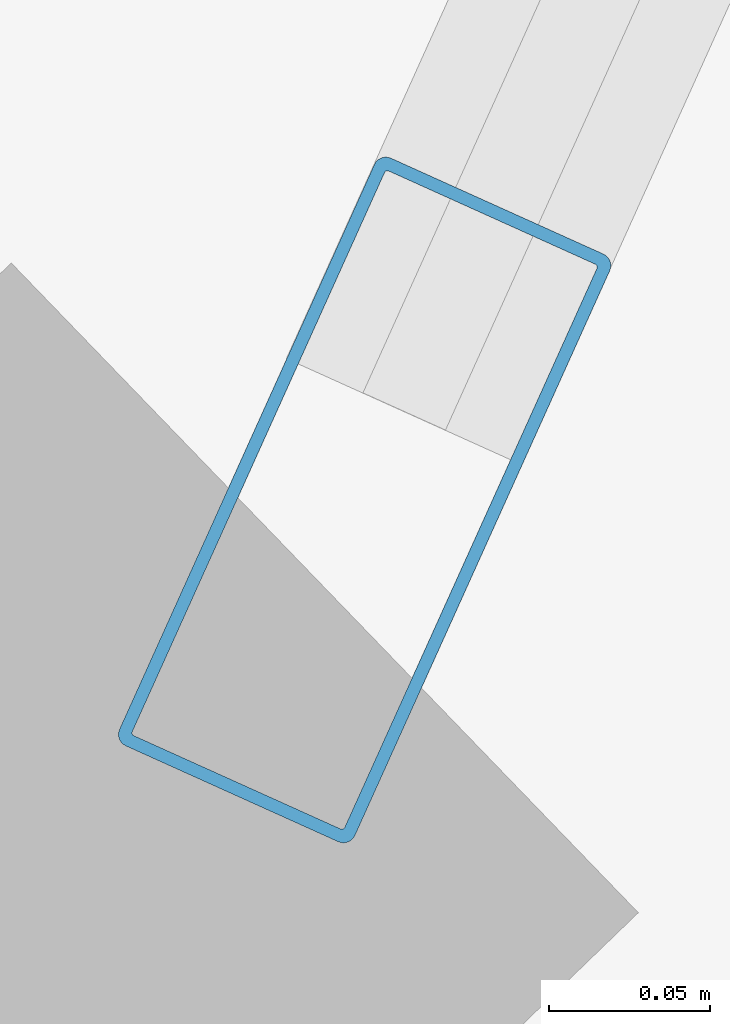
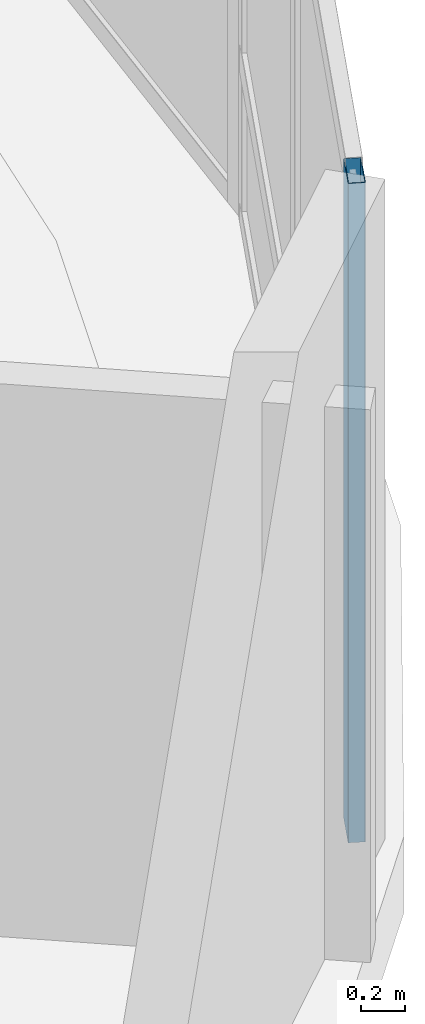
# One storey, part 7 of 25: 1 member, 1 element without a shape of its own.
"""IFC4 building model written with IfcOpenShell, lengths in metres."""

import ifcopenshell
import ifcopenshell.guid

model = None  # the IFC model being written
_history = None  # IfcOwnerHistory: only IFC2X3 demands one
_inside = {}  # id of a spatial element -> (the spatial element, [elements in it])
_under = {}  # id of a project, library or spatial element -> (it, [spatial elements below it])
_declared = {}  # id of a project -> (the project, [libraries it declares])
_typed = {}  # id of a type object -> (the type object, [elements of that type])
_made_of = {}  # id of a material, layer set ... -> (it, [elements and type objects made of it])


def new_model(schema):
    """Start an empty IFC model of exactly this schema.

    Asked for "IFC4X3", IfcOpenShell would pick the latest addendum, in which some entities
    have other attributes; the version numbers below select the first issue.
    IFC2X3 requires an IfcOwnerHistory on every rooted entity: one is made here for all.
    """
    global model, _history
    if schema == "IFC4X3":
        model = ifcopenshell.file(schema_version=(4, 3, 0, 0))
    else:
        model = ifcopenshell.file(schema=schema)
    _inside.clear()
    _under.clear()
    _declared.clear()
    _typed.clear()
    _made_of.clear()
    _history = None
    if model.schema == "IFC2X3":
        org = make("IfcOrganization", Name="unknown")
        user = make(
            "IfcPersonAndOrganization",
            ThePerson=make("IfcPerson", FamilyName="unknown"),
            TheOrganization=org,
        )
        app = make(
            "IfcApplication",
            ApplicationDeveloper=org,
            Version="unknown",
            ApplicationFullName="unknown",
            ApplicationIdentifier="unknown",
        )
        _history = make(
            "IfcOwnerHistory",
            OwningUser=user,
            OwningApplication=app,
            ChangeAction="ADDED",
            CreationDate=0,
        )
    return model


def make(cls, **values):
    """One entity of the class cls with the attributes given. An attribute that is None is left unset."""
    return model.create_entity(
        cls, **{name: value for name, value in values.items() if value is not None}
    )


def rooted(cls, **values):
    """An entity with a GlobalId (a new one), such as an element, a storey or a relation."""
    return make(cls, GlobalId=ifcopenshell.guid.new(), OwnerHistory=_history, **values)


def si_unit(unit_type, name, prefix=None):
    """IfcSIUnit, for example si_unit("LENGTHUNIT", "METRE", prefix="MILLI")."""
    return make("IfcSIUnit", UnitType=unit_type, Prefix=prefix, Name=name)


def assignment(units):
    """IfcUnitAssignment: the units of a project."""
    return None if units is None else make("IfcUnitAssignment", Units=units)


def point(xyz):
    """IfcCartesianPoint."""
    return None if xyz is None else make("IfcCartesianPoint", Coordinates=xyz)


def direction(xyz):
    """IfcDirection."""
    return None if xyz is None else make("IfcDirection", DirectionRatios=xyz)


def frame(location, z_axis=None, x_axis=None):
    """IfcAxis2Placement3D, a coordinate frame: its origin and axes. An axis left out is left unset."""
    return make(
        "IfcAxis2Placement3D",
        Location=point(location),
        Axis=direction(z_axis),
        RefDirection=direction(x_axis),
    )


def frame_2d(location, x_axis=None):
    """IfcAxis2Placement2D, a coordinate frame in the plane: its origin and x axis."""
    return make(
        "IfcAxis2Placement2D", Location=point(location), RefDirection=direction(x_axis)
    )


def origin():
    """The frame at (0, 0, 0) with its axes left unset."""
    return frame((0.0, 0.0, 0.0))


def origin_2d():
    """The frame at (0, 0) in the plane with its x axis left unset."""
    return frame_2d((0.0, 0.0))


def place(relative_to, where):
    """IfcLocalPlacement: puts the frame where relative to a parent placement (None: the world)."""
    return make(
        "IfcLocalPlacement", PlacementRelTo=relative_to, RelativePlacement=where
    )


def context(
    kind, dimensions, precision=None, world=None, true_north=None, identifier=None
):
    """IfcGeometricRepresentationContext, for example the 3D "Model" context."""
    return make(
        "IfcGeometricRepresentationContext",
        ContextIdentifier=identifier,
        ContextType=kind,
        CoordinateSpaceDimension=dimensions,
        Precision=precision,
        WorldCoordinateSystem=world,
        TrueNorth=true_north,
    )


def subcontext(parent, identifier, kind, view, scale=None):
    """IfcGeometricRepresentationSubContext, for example "Body" below "Model"."""
    return make(
        "IfcGeometricRepresentationSubContext",
        ContextIdentifier=identifier,
        ContextType=kind,
        ParentContext=parent,
        TargetScale=scale,
        TargetView=view,
    )


def project(units=None, contexts=None):
    """IfcProject with its units and contexts."""
    return rooted(
        "IfcProject",
        Name="project",
        RepresentationContexts=contexts,
        UnitsInContext=assignment(units),
    )


def spatial(cls, under=None, at=None, **own):
    """A site, building, storey or space (cls), placed at a placement, below another one or the project."""
    s = rooted(cls, ObjectPlacement=at, **own)
    if under is not None:
        _under.setdefault(under.id(), (under, []))[1].append(s)
    return s


def profile(cls, at=None, kind="AREA", **sizes):
    """A parametric profile (cls). Its sizes go by their IFC names, for example OverallWidth=200.0."""
    return make(cls, ProfileType=kind, Position=at, **sizes)


def hollow_rectangle(**sizes):
    """IfcRectangleHollowProfileDef."""
    return profile("IfcRectangleHollowProfileDef", **sizes)


def extrude(swept, where, along, depth):
    """IfcExtrudedAreaSolid: the profile swept, set in the frame where, extruded along a direction by depth."""
    return make(
        "IfcExtrudedAreaSolid",
        SweptArea=swept,
        Position=where,
        ExtrudedDirection=direction(along),
        Depth=depth,
    )


def shape(context_of_items, identifier, shape_type, items):
    """IfcShapeRepresentation: the items that make up one representation, for example the "Body"."""
    return make(
        "IfcShapeRepresentation",
        ContextOfItems=context_of_items,
        RepresentationIdentifier=identifier,
        RepresentationType=shape_type,
        Items=items,
    )


def material(Name=None, Category=None):
    """IfcMaterial."""
    return make("IfcMaterial", Name=Name, Category=Category)


def layer(
    of_material, thickness, ventilated=None, Name=None, Category=None, Priority=None
):
    """IfcMaterialLayer: one layer of a wall or slab, of a material (None: an air gap)."""
    return make(
        "IfcMaterialLayer",
        Material=of_material,
        LayerThickness=thickness,
        IsVentilated=ventilated,
        Name=Name,
        Category=Category,
        Priority=Priority,
    )


def layer_set(layers, Name=None):
    """IfcMaterialLayerSet."""
    return make("IfcMaterialLayerSet", MaterialLayers=layers, LayerSetName=Name)


def material_profile(
    of_material, cross_section, Name=None, Category=None, Priority=None
):
    """IfcMaterialProfile: a cross section and its material."""
    return make(
        "IfcMaterialProfile",
        Name=Name,
        Material=of_material,
        Profile=cross_section,
        Priority=Priority,
        Category=Category,
    )


def profile_set(profiles, Name=None, composite=None):
    """IfcMaterialProfileSet."""
    return make(
        "IfcMaterialProfileSet",
        Name=Name,
        MaterialProfiles=profiles,
        CompositeProfile=composite,
    )


def made_of(thing, what):
    """Note that an element or type object is made of a material, layer set ...; save() writes the relation."""
    if what is not None:
        _made_of.setdefault(what.id(), (what, []))[1].append(thing)
    return thing


def type_object(cls, material=None, **own):
    """A type object (cls), such as IfcWallType, which elements share."""
    return made_of(rooted(cls, **own), material)


def element(
    cls,
    number,
    at=None,
    inside=None,
    cuts=None,
    type_object=None,
    material=None,
    context=None,
    identifier="Body",
    shape_type=None,
    held_by="IfcProductDefinitionShape",
    body=None,
    shapes=None,
    **own,
):
    """One element of the class cls, such as IfcWall. Its Tag is "e" and its number.

    at: its placement. inside: the storey or other place that contains it. cuts: it is an
    opening in that element (IfcRelVoidsElement). A single representation is given by context,
    identifier, shape_type and body (its items); several are given by shapes. held_by: the class
    of the entity that holds the representations. save() writes the other relations.
    """
    e = rooted(cls, Tag="e%d" % number, ObjectPlacement=at, **own)
    if body is not None:
        shapes = [shape(context, identifier, shape_type, body)]
    if shapes is not None:
        e.Representation = make(held_by, Representations=shapes)
    if inside is not None:
        _inside.setdefault(inside.id(), (inside, []))[1].append(e)
    if cuts is not None:
        rooted(
            "IfcRelVoidsElement", RelatingBuildingElement=cuts, RelatedOpeningElement=e
        )
    if type_object is not None:
        _typed.setdefault(type_object.id(), (type_object, []))[1].append(e)
    return made_of(e, material)


def aggregate(whole, parts):
    """IfcRelAggregates: a whole, such as a stair, and the parts it consists of."""
    return rooted("IfcRelAggregates", RelatingObject=whole, RelatedObjects=parts)


def save(model, path):
    """Write the relations noted so far, then the file.

    IfcRelAggregates (storeys below a building ...), IfcRelContainedInSpatialStructure (elements
    in a storey), IfcRelDefinesByType, IfcRelAssociatesMaterial and IfcRelDeclares: one each for
    every whole, place, type object, material and project.
    """
    for whole, parts in _under.values():
        aggregate(whole, parts)
    for where, things in _inside.values():
        rooted(
            "IfcRelContainedInSpatialStructure",
            RelatedElements=things,
            RelatingStructure=where,
        )
    for kind, things in _typed.values():
        rooted("IfcRelDefinesByType", RelatedObjects=things, RelatingType=kind)
    for what, things in _made_of.values():
        rooted("IfcRelAssociatesMaterial", RelatedObjects=things, RelatingMaterial=what)
    for by, libraries in _declared.values():
        rooted("IfcRelDeclares", RelatingContext=by, RelatedDefinitions=libraries)
    model.write(path)


model = new_model("IFC4")

# Units and contexts
model_context = context("Model", 3, precision=1e-05, world=origin(), true_north=direction((0.0, 1.0)))
body_context = subcontext(model_context, "Body", "Model", "MODEL_VIEW")
ifc_project = project(units=[si_unit("LENGTHUNIT", "METRE"), si_unit("AREAUNIT", "SQUARE_METRE"), si_unit("VOLUMEUNIT", "CUBIC_METRE"), si_unit("PLANEANGLEUNIT", "RADIAN"), si_unit("MASSUNIT", "GRAM", prefix="KILO")], contexts=[model_context])

# Site, building, storey
site_placement = place(None, origin())
site = spatial("IfcSite", under=ifc_project, at=site_placement, CompositionType="ELEMENT")
building_placement = place(site_placement, origin())
building = spatial("IfcBuilding", under=site, at=building_placement, Name="Bramvorn Convention Spire", CompositionType="ELEMENT")
storey_placement = place(building_placement, frame((0.0, 0.0, 171.199951171875)))
storey = spatial("IfcBuildingStorey", under=building, at=storey_placement, Name="L43", CompositionType="ELEMENT", Elevation=171.199951171875)

# Curtain wall, member
ifc_material_1 = material(Name="Anodised Bronze Unitised Curtain Wall", Category="aluminium")
ifc_layer = layer(ifc_material_1, 0.179931640625)
ifc_layer_set = layer_set([ifc_layer], Name="Anodised Bronze Unitised Curtain Wall - CW-OFF-FRIT")
curtain_wall_type = type_object("IfcCurtainWallType", Name="CW-OFF-FRIT", PredefinedType="USERDEFINED", material=ifc_layer_set)
curtain_wall_placement = place(storey_placement, origin())
curtain_wall = element("IfcCurtainWall", 1, at=curtain_wall_placement, inside=storey, type_object=curtain_wall_type, Name="L43 fritted glass curtain wall 01", ObjectType="UNITISED CURTAIN WALL", PredefinedType="USERDEFINED")
ifc_material_2 = material(Name="Anodised Bronze Aluminium 6063-T6", Category="aluminium")
ifc_material_profile = material_profile(ifc_material_2, hollow_rectangle(XDim=0.080078125, YDim=0.199951171875, WallThickness=0.00390625, InnerFilletRadius=0.0009765625, OuterFilletRadius=0.00390625, at=origin_2d()))
ifc_profile_set = profile_set([ifc_material_profile], Name="Anodised Bronze Aluminium 6063-T6 - CWM80X200")
member_type = type_object("IfcMemberType", Name="CW-MUL-180", PredefinedType="MULLION", material=ifc_profile_set)
member_placement = place(storey_placement, frame((61.0537109375, 9.803466796875, 0.0), z_axis=(0.0, 0.0, 1.0), x_axis=(0.911522400436, -0.411250426753, 0.0)))
member = element("IfcMember", 2, at=member_placement, type_object=member_type, Name="CW3 mullion 3", PredefinedType="MULLION", context=body_context, shape_type="SweptSolid", body=[
    extrude(hollow_rectangle(XDim=0.080078125, YDim=0.199951171875, WallThickness=0.00390625, InnerFilletRadius=0.0009765625, OuterFilletRadius=0.00390625, at=origin_2d()), origin(), (0.0, 0.0, 1.0), 3.6201171875),
])
aggregate(curtain_wall, [member])

save(model, "model.ifc")
